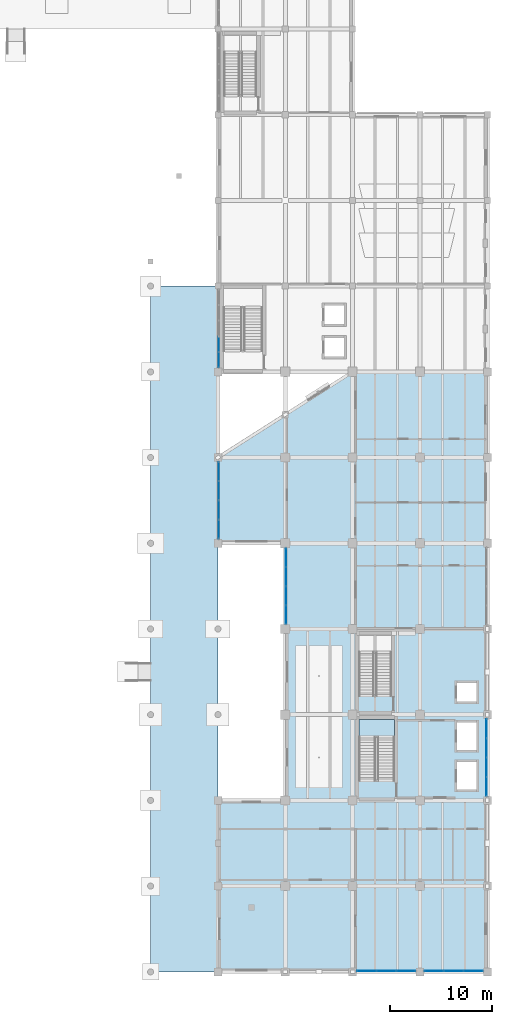
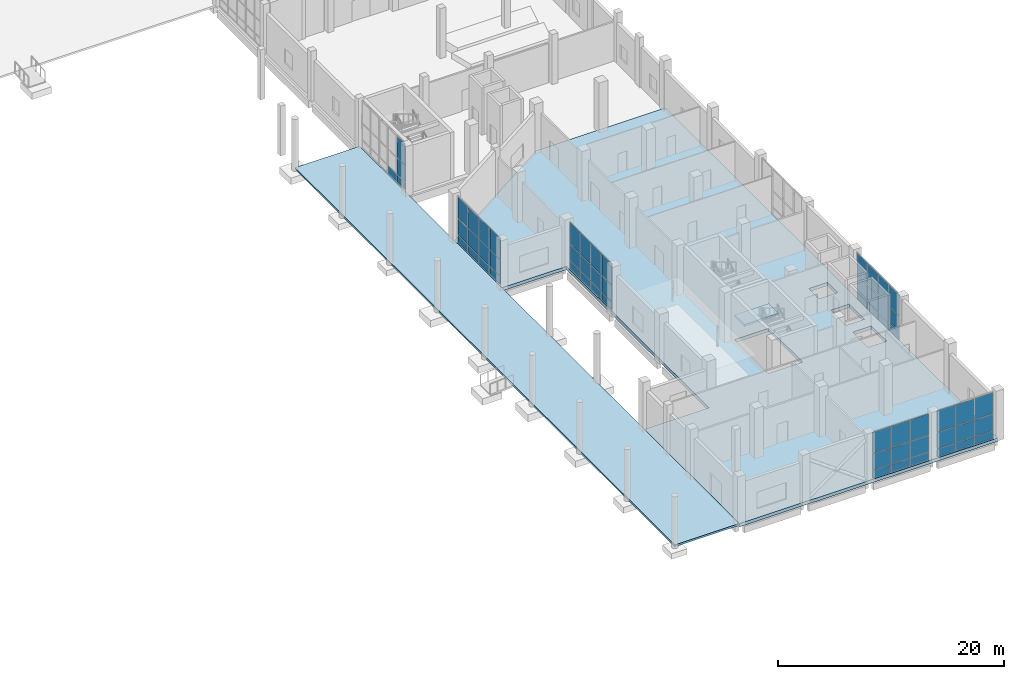
# One storey, part 34 of 64: 58 plates, 3 slabs, 7 elements without a shape of their own.
"""IFC4 building model written with IfcOpenShell, lengths in metres."""

from ifc_helpers import new_model, si_unit, direction, frame, origin, origin_2d, place, context, subcontext, project, spatial, polyline, rectangle, outline, extrude, material, layer, layer_set, type_object, element, aggregate, save


model = new_model("IFC4")

# Units and contexts
model_context = context("Model", 3, precision=1e-05, world=origin(), true_north=direction((0.0, 1.0)))
body_context = subcontext(model_context, "Body", "Model", "MODEL_VIEW")
ifc_project = project(units=[si_unit("LENGTHUNIT", "METRE"), si_unit("AREAUNIT", "SQUARE_METRE"), si_unit("VOLUMEUNIT", "CUBIC_METRE"), si_unit("PLANEANGLEUNIT", "RADIAN"), si_unit("MASSUNIT", "GRAM", prefix="KILO")], contexts=[model_context])

# Site, building, storey
site_placement = place(None, origin())
site = spatial("IfcSite", under=ifc_project, at=site_placement, CompositionType="ELEMENT")
building_placement = place(site_placement, origin())
building = spatial("IfcBuilding", under=site, at=building_placement, Name="Qaldarim Faculty of Natural and Applied Sciences", CompositionType="ELEMENT")
storey_placement = place(building_placement, origin())
storey = spatial("IfcBuildingStorey", under=building, at=storey_placement, Name="L00", CompositionType="ELEMENT", Elevation=0.0)

# Slabs
ifc_material_1 = material(Name="Concrete C40/50", Category="concrete")
ifc_layer_1 = layer(ifc_material_1, 0.199951171875)
ifc_layer_set_1 = layer_set([ifc_layer_1], Name="Concrete C40/50")
slab_type_1 = type_object("IfcSlabType", Name="ColonnadeDeckSlab-200", PredefinedType="FLOOR", material=ifc_layer_set_1)
slab_1_placement = place(storey_placement, frame((0.0, 0.0, -0.199951171875)))
element("IfcSlab", 1, at=slab_1_placement, inside=storey, type_object=slab_type_1, Name="Civic square colonnade paving apron L00-2", PredefinedType="FLOOR", context=body_context, shape_type="SweptSolid", body=[
    extrude(outline(polyline([(145.199951171875, 0.0), (145.199951171875, 67.199951171875), (151.800048828125, 67.199951171875), (151.800048828125, 0.0), (145.199951171875, 0.0)])), origin(), (0.0, 0.0, 1.0), 0.199951171875),
])
ifc_layer_2 = layer(ifc_material_1, 0.360107421875)
ifc_layer_set_2 = layer_set([ifc_layer_2], Name="Concrete C40/50")
slab_type_2 = type_object("IfcSlabType", Name="GroundFloorSlab-360", PredefinedType="FLOOR", material=ifc_layer_set_2)
slab_2_placement = place(storey_placement, frame((0.0, 0.0, -0.360107421875)))
element("IfcSlab", 2, at=slab_2_placement, inside=storey, type_object=slab_type_2, Name="Floor slab L00 V5", PredefinedType="FLOOR", context=body_context, shape_type="SweptSolid", body=[
    extrude(outline(polyline([(151.800048828125, 0.0), (178.199951171875, 0.0), (178.199951171875, 58.800048828125), (165.0, 58.800048828125), (151.800048828125, 50.39990234375), (151.800048828125, 42.0), (158.39990234375, 42.0), (158.39990234375, 16.800048828125), (151.800048828125, 16.800048828125), (151.800048828125, 0.0)]), holes=[polyline([(169.10009765625, 18.764892578125), (169.10009765625, 24.77490234375), (165.60009765625, 24.77490234375), (165.60009765625, 18.764892578125), (169.10009765625, 18.764892578125)]), polyline([(175.25, 17.85009765625), (177.14990234375, 17.85009765625), (177.14990234375, 20.550048828125), (175.25, 20.550048828125), (175.25, 17.85009765625)]), polyline([(175.25, 21.75), (177.14990234375, 21.75), (177.14990234375, 24.449951171875), (175.25, 24.449951171875), (175.25, 21.75)]), polyline([(175.25, 26.5), (177.14990234375, 26.5), (177.14990234375, 28.300048828125), (175.25, 28.300048828125), (175.25, 26.5)])]), origin(), (0.0, 0.0, 1.0), 0.360107421875),
])

# Curtain wall, plates
ifc_material_2 = material(Name="Anodised aluminium AW-6063", Category="aluminium")
curtain_wall_type_1 = type_object("IfcCurtainWallType", Name="CurtainWallSystem-M1700", PredefinedType="USERDEFINED", material=ifc_material_2)
curtain_wall_1_placement = place(storey_placement, origin())
curtain_wall_1 = element("IfcCurtainWall", 3, at=curtain_wall_1_placement, inside=storey, type_object=curtain_wall_type_1, Name="Curtain wall CW-L00-W-X24Y06", ObjectType="UNITISED FACADE", PredefinedType="USERDEFINED")
ifc_material_3 = material(Name="Insulated low-e double glazing", Category="glass")
ifc_layer_3 = layer(ifc_material_3, 0.031982421875)
ifc_layer_set_3 = layer_set([ifc_layer_3], Name="Insulated low-e double glazing")
plate_type_1 = type_object("IfcPlateType", Name="SolarControlGlazingPanel-32", PredefinedType="CURTAIN_PANEL", material=ifc_layer_set_3)
plate_1_placement = place(storey_placement, frame((151.8798828125, 49.036376953125, 0.070068359375), z_axis=(0.0, 0.0, 1.0), x_axis=(0.0, -1.0, 0.0)))
plate_1 = element("IfcPlate", 4, at=plate_1_placement, type_object=plate_type_1, Name="Glazed panel 1-1 of CW-L00-W-X24Y06", PredefinedType="CURTAIN_PANEL", context=body_context, shape_type="SweptSolid", body=[
    extrude(rectangle(XDim=1.797607421875, YDim=0.031982421875, at=origin_2d()), origin(), (0.0, 0.0, 1.0), 0.794921875),
])
plate_2_placement = place(storey_placement, frame((151.8798828125, 49.036376953125, 0.93505859375), z_axis=(0.0, 0.0, 1.0), x_axis=(0.0, -1.0, 0.0)))
plate_2 = element("IfcPlate", 5, at=plate_2_placement, type_object=plate_type_1, Name="Glazed panel 1-2 of CW-L00-W-X24Y06", PredefinedType="CURTAIN_PANEL", context=body_context, shape_type="SweptSolid", body=[
    extrude(rectangle(XDim=1.797607421875, YDim=0.031982421875, at=origin_2d()), origin(), (0.0, 0.0, 1.0), 1.72998046875),
])
plate_3_placement = place(storey_placement, frame((151.8798828125, 49.036376953125, 2.735107421875), z_axis=(0.0, 0.0, 1.0), x_axis=(0.0, -1.0, 0.0)))
plate_3 = element("IfcPlate", 6, at=plate_3_placement, type_object=plate_type_1, Name="Glazed panel 1-3 of CW-L00-W-X24Y06", PredefinedType="CURTAIN_PANEL", context=body_context, shape_type="SweptSolid", body=[
    extrude(rectangle(XDim=1.797607421875, YDim=0.031982421875, at=origin_2d()), origin(), (0.0, 0.0, 1.0), 2.294921875),
])
plate_4_placement = place(storey_placement, frame((151.8798828125, 47.1513671875, 0.070068359375), z_axis=(0.0, 0.0, 1.0), x_axis=(0.0, -1.0, 0.0)))
plate_4 = element("IfcPlate", 7, at=plate_4_placement, type_object=plate_type_1, Name="Glazed panel 2-1 of CW-L00-W-X24Y06", PredefinedType="CURTAIN_PANEL", context=body_context, shape_type="SweptSolid", body=[
    extrude(rectangle(XDim=1.83251953125, YDim=0.031982421875, at=origin_2d()), origin(), (0.0, 0.0, 1.0), 0.794921875),
])
plate_5_placement = place(storey_placement, frame((151.8798828125, 47.1513671875, 0.93505859375), z_axis=(0.0, 0.0, 1.0), x_axis=(0.0, -1.0, 0.0)))
plate_5 = element("IfcPlate", 8, at=plate_5_placement, type_object=plate_type_1, Name="Glazed panel 2-2 of CW-L00-W-X24Y06", PredefinedType="CURTAIN_PANEL", context=body_context, shape_type="SweptSolid", body=[
    extrude(rectangle(XDim=1.83251953125, YDim=0.031982421875, at=origin_2d()), origin(), (0.0, 0.0, 1.0), 1.72998046875),
])
plate_6_placement = place(storey_placement, frame((151.8798828125, 47.1513671875, 2.735107421875), z_axis=(0.0, 0.0, 1.0), x_axis=(0.0, -1.0, 0.0)))
plate_6 = element("IfcPlate", 9, at=plate_6_placement, type_object=plate_type_1, Name="Glazed panel 2-3 of CW-L00-W-X24Y06", PredefinedType="CURTAIN_PANEL", context=body_context, shape_type="SweptSolid", body=[
    extrude(rectangle(XDim=1.83251953125, YDim=0.031982421875, at=origin_2d()), origin(), (0.0, 0.0, 1.0), 2.294921875),
])
plate_7_placement = place(storey_placement, frame((151.8798828125, 45.248779296875, 0.070068359375), z_axis=(0.0, 0.0, 1.0), x_axis=(0.0, -1.0, 0.0)))
plate_7 = element("IfcPlate", 10, at=plate_7_placement, type_object=plate_type_1, Name="Glazed panel 3-1 of CW-L00-W-X24Y06", PredefinedType="CURTAIN_PANEL", context=body_context, shape_type="SweptSolid", body=[
    extrude(rectangle(XDim=1.83251953125, YDim=0.031982421875, at=origin_2d()), origin(), (0.0, 0.0, 1.0), 0.794921875),
])
plate_8_placement = place(storey_placement, frame((151.8798828125, 45.248779296875, 0.93505859375), z_axis=(0.0, 0.0, 1.0), x_axis=(0.0, -1.0, 0.0)))
plate_8 = element("IfcPlate", 11, at=plate_8_placement, type_object=plate_type_1, Name="Glazed panel 3-2 of CW-L00-W-X24Y06", PredefinedType="CURTAIN_PANEL", context=body_context, shape_type="SweptSolid", body=[
    extrude(rectangle(XDim=1.83251953125, YDim=0.031982421875, at=origin_2d()), origin(), (0.0, 0.0, 1.0), 1.72998046875),
])
plate_9_placement = place(storey_placement, frame((151.8798828125, 45.248779296875, 2.735107421875), z_axis=(0.0, 0.0, 1.0), x_axis=(0.0, -1.0, 0.0)))
plate_9 = element("IfcPlate", 12, at=plate_9_placement, type_object=plate_type_1, Name="Glazed panel 3-3 of CW-L00-W-X24Y06", PredefinedType="CURTAIN_PANEL", context=body_context, shape_type="SweptSolid", body=[
    extrude(rectangle(XDim=1.83251953125, YDim=0.031982421875, at=origin_2d()), origin(), (0.0, 0.0, 1.0), 2.294921875),
])
plate_10_placement = place(storey_placement, frame((151.8798828125, 43.36376953125, 0.070068359375), z_axis=(0.0, 0.0, 1.0), x_axis=(0.0, -1.0, 0.0)))
plate_10 = element("IfcPlate", 13, at=plate_10_placement, type_object=plate_type_1, Name="Glazed panel 4-1 of CW-L00-W-X24Y06", PredefinedType="CURTAIN_PANEL", context=body_context, shape_type="SweptSolid", body=[
    extrude(rectangle(XDim=1.797607421875, YDim=0.031982421875, at=origin_2d()), origin(), (0.0, 0.0, 1.0), 0.794921875),
])
plate_11_placement = place(storey_placement, frame((151.8798828125, 43.36376953125, 0.93505859375), z_axis=(0.0, 0.0, 1.0), x_axis=(0.0, -1.0, 0.0)))
plate_11 = element("IfcPlate", 14, at=plate_11_placement, type_object=plate_type_1, Name="Glazed panel 4-2 of CW-L00-W-X24Y06", PredefinedType="CURTAIN_PANEL", context=body_context, shape_type="SweptSolid", body=[
    extrude(rectangle(XDim=1.797607421875, YDim=0.031982421875, at=origin_2d()), origin(), (0.0, 0.0, 1.0), 1.72998046875),
])
plate_12_placement = place(storey_placement, frame((151.8798828125, 43.36376953125, 2.735107421875), z_axis=(0.0, 0.0, 1.0), x_axis=(0.0, -1.0, 0.0)))
plate_12 = element("IfcPlate", 15, at=plate_12_placement, type_object=plate_type_1, Name="Glazed panel 4-3 of CW-L00-W-X24Y06", PredefinedType="CURTAIN_PANEL", context=body_context, shape_type="SweptSolid", body=[
    extrude(rectangle(XDim=1.797607421875, YDim=0.031982421875, at=origin_2d()), origin(), (0.0, 0.0, 1.0), 2.294921875),
])
aggregate(curtain_wall_1, [plate_1, plate_2, plate_3, plate_4, plate_5, plate_6, plate_7, plate_8, plate_9, plate_10, plate_11, plate_12])

curtain_wall_2_placement = place(storey_placement, origin())
curtain_wall_2 = element("IfcCurtainWall", 16, at=curtain_wall_2_placement, inside=storey, type_object=curtain_wall_type_1, Name="Curtain wall CW-L00-W-X25Y05", ObjectType="UNITISED FACADE", PredefinedType="USERDEFINED")
plate_13_placement = place(storey_placement, frame((158.47998046875, 40.598876953125, 0.070068359375), z_axis=(0.0, 0.0, 1.0), x_axis=(0.0, -1.0, 0.0)))
plate_13 = element("IfcPlate", 17, at=plate_13_placement, type_object=plate_type_1, Name="Glazed panel 1-1 of CW-L00-W-X25Y05", PredefinedType="CURTAIN_PANEL", context=body_context, shape_type="SweptSolid", body=[
    extrude(rectangle(XDim=1.7724609375, YDim=0.031982421875, at=origin_2d()), origin(), (0.0, 0.0, 1.0), 0.794921875),
])
plate_14_placement = place(storey_placement, frame((158.47998046875, 40.598876953125, 0.93505859375), z_axis=(0.0, 0.0, 1.0), x_axis=(0.0, -1.0, 0.0)))
plate_14 = element("IfcPlate", 18, at=plate_14_placement, type_object=plate_type_1, Name="Glazed panel 1-2 of CW-L00-W-X25Y05", PredefinedType="CURTAIN_PANEL", context=body_context, shape_type="SweptSolid", body=[
    extrude(rectangle(XDim=1.7724609375, YDim=0.031982421875, at=origin_2d()), origin(), (0.0, 0.0, 1.0), 1.72998046875),
])
plate_15_placement = place(storey_placement, frame((158.47998046875, 40.598876953125, 2.735107421875), z_axis=(0.0, 0.0, 1.0), x_axis=(0.0, -1.0, 0.0)))
plate_15 = element("IfcPlate", 19, at=plate_15_placement, type_object=plate_type_1, Name="Glazed panel 1-3 of CW-L00-W-X25Y05", PredefinedType="CURTAIN_PANEL", context=body_context, shape_type="SweptSolid", body=[
    extrude(rectangle(XDim=1.7724609375, YDim=0.031982421875, at=origin_2d()), origin(), (0.0, 0.0, 1.0), 2.294921875),
])
plate_16_placement = place(storey_placement, frame((158.47998046875, 38.73876953125, 0.070068359375), z_axis=(0.0, 0.0, 1.0), x_axis=(0.0, -1.0, 0.0)))
plate_16 = element("IfcPlate", 20, at=plate_16_placement, type_object=plate_type_1, Name="Glazed panel 2-1 of CW-L00-W-X25Y05", PredefinedType="CURTAIN_PANEL", context=body_context, shape_type="SweptSolid", body=[
    extrude(rectangle(XDim=1.8076171875, YDim=0.031982421875, at=origin_2d()), origin(), (0.0, 0.0, 1.0), 0.794921875),
])
plate_17_placement = place(storey_placement, frame((158.47998046875, 38.73876953125, 0.93505859375), z_axis=(0.0, 0.0, 1.0), x_axis=(0.0, -1.0, 0.0)))
plate_17 = element("IfcPlate", 21, at=plate_17_placement, type_object=plate_type_1, Name="Glazed panel 2-2 of CW-L00-W-X25Y05", PredefinedType="CURTAIN_PANEL", context=body_context, shape_type="SweptSolid", body=[
    extrude(rectangle(XDim=1.8076171875, YDim=0.031982421875, at=origin_2d()), origin(), (0.0, 0.0, 1.0), 1.72998046875),
])
plate_18_placement = place(storey_placement, frame((158.47998046875, 38.73876953125, 2.735107421875), z_axis=(0.0, 0.0, 1.0), x_axis=(0.0, -1.0, 0.0)))
plate_18 = element("IfcPlate", 22, at=plate_18_placement, type_object=plate_type_1, Name="Glazed panel 2-3 of CW-L00-W-X25Y05", PredefinedType="CURTAIN_PANEL", context=body_context, shape_type="SweptSolid", body=[
    extrude(rectangle(XDim=1.8076171875, YDim=0.031982421875, at=origin_2d()), origin(), (0.0, 0.0, 1.0), 2.294921875),
])
plate_19_placement = place(storey_placement, frame((158.47998046875, 36.861083984375, 0.070068359375), z_axis=(0.0, 0.0, 1.0), x_axis=(0.0, -1.0, 0.0)))
plate_19 = element("IfcPlate", 23, at=plate_19_placement, type_object=plate_type_1, Name="Glazed panel 3-1 of CW-L00-W-X25Y05", PredefinedType="CURTAIN_PANEL", context=body_context, shape_type="SweptSolid", body=[
    extrude(rectangle(XDim=1.8076171875, YDim=0.031982421875, at=origin_2d()), origin(), (0.0, 0.0, 1.0), 0.794921875),
])
plate_20_placement = place(storey_placement, frame((158.47998046875, 36.861083984375, 0.93505859375), z_axis=(0.0, 0.0, 1.0), x_axis=(0.0, -1.0, 0.0)))
plate_20 = element("IfcPlate", 24, at=plate_20_placement, type_object=plate_type_1, Name="Glazed panel 3-2 of CW-L00-W-X25Y05", PredefinedType="CURTAIN_PANEL", context=body_context, shape_type="SweptSolid", body=[
    extrude(rectangle(XDim=1.8076171875, YDim=0.031982421875, at=origin_2d()), origin(), (0.0, 0.0, 1.0), 1.72998046875),
])
plate_21_placement = place(storey_placement, frame((158.47998046875, 36.861083984375, 2.735107421875), z_axis=(0.0, 0.0, 1.0), x_axis=(0.0, -1.0, 0.0)))
plate_21 = element("IfcPlate", 25, at=plate_21_placement, type_object=plate_type_1, Name="Glazed panel 3-3 of CW-L00-W-X25Y05", PredefinedType="CURTAIN_PANEL", context=body_context, shape_type="SweptSolid", body=[
    extrude(rectangle(XDim=1.8076171875, YDim=0.031982421875, at=origin_2d()), origin(), (0.0, 0.0, 1.0), 2.294921875),
])
plate_22_placement = place(storey_placement, frame((158.47998046875, 35.001220703125, 0.070068359375), z_axis=(0.0, 0.0, 1.0), x_axis=(0.0, -1.0, 0.0)))
plate_22 = element("IfcPlate", 26, at=plate_22_placement, type_object=plate_type_1, Name="Glazed panel 4-1 of CW-L00-W-X25Y05", PredefinedType="CURTAIN_PANEL", context=body_context, shape_type="SweptSolid", body=[
    extrude(rectangle(XDim=1.7724609375, YDim=0.031982421875, at=origin_2d()), origin(), (0.0, 0.0, 1.0), 0.794921875),
])
plate_23_placement = place(storey_placement, frame((158.47998046875, 35.001220703125, 0.93505859375), z_axis=(0.0, 0.0, 1.0), x_axis=(0.0, -1.0, 0.0)))
plate_23 = element("IfcPlate", 27, at=plate_23_placement, type_object=plate_type_1, Name="Glazed panel 4-2 of CW-L00-W-X25Y05", PredefinedType="CURTAIN_PANEL", context=body_context, shape_type="SweptSolid", body=[
    extrude(rectangle(XDim=1.7724609375, YDim=0.031982421875, at=origin_2d()), origin(), (0.0, 0.0, 1.0), 1.72998046875),
])
plate_24_placement = place(storey_placement, frame((158.47998046875, 35.001220703125, 2.735107421875), z_axis=(0.0, 0.0, 1.0), x_axis=(0.0, -1.0, 0.0)))
plate_24 = element("IfcPlate", 28, at=plate_24_placement, type_object=plate_type_1, Name="Glazed panel 4-3 of CW-L00-W-X25Y05", PredefinedType="CURTAIN_PANEL", context=body_context, shape_type="SweptSolid", body=[
    extrude(rectangle(XDim=1.7724609375, YDim=0.031982421875, at=origin_2d()), origin(), (0.0, 0.0, 1.0), 2.294921875),
])
aggregate(curtain_wall_2, [plate_13, plate_14, plate_15, plate_16, plate_17, plate_18, plate_19, plate_20, plate_21, plate_22, plate_23, plate_24])

curtain_wall_3_placement = place(storey_placement, origin())
curtain_wall_3 = element("IfcCurtainWall", 29, at=curtain_wall_3_placement, inside=storey, type_object=curtain_wall_type_1, Name="Curtain wall CW-L00-S-X26Y01", ObjectType="UNITISED FACADE", PredefinedType="USERDEFINED")
plate_25_placement = place(storey_placement, frame((166.380859375, 0.080078125, 0.070068359375), z_axis=(0.0, 0.0, 1.0), x_axis=(1.0, 0.0, 0.0)))
plate_25 = element("IfcPlate", 30, at=plate_25_placement, type_object=plate_type_1, Name="Glazed panel 1-1 of CW-L00-S-X26Y01", PredefinedType="CURTAIN_PANEL", context=body_context, shape_type="SweptSolid", body=[
    extrude(rectangle(XDim=1.831787109375, YDim=0.031982421875, at=origin_2d()), origin(), (0.0, 0.0, 1.0), 0.794921875),
])
plate_26_placement = place(storey_placement, frame((166.380859375, 0.080078125, 0.93505859375), z_axis=(0.0, 0.0, 1.0), x_axis=(1.0, 0.0, 0.0)))
plate_26 = element("IfcPlate", 31, at=plate_26_placement, type_object=plate_type_1, Name="Glazed panel 1-2 of CW-L00-S-X26Y01", PredefinedType="CURTAIN_PANEL", context=body_context, shape_type="SweptSolid", body=[
    extrude(rectangle(XDim=1.831787109375, YDim=0.031982421875, at=origin_2d()), origin(), (0.0, 0.0, 1.0), 1.72998046875),
])
plate_27_placement = place(storey_placement, frame((166.380859375, 0.080078125, 2.735107421875), z_axis=(0.0, 0.0, 1.0), x_axis=(1.0, 0.0, 0.0)))
plate_27 = element("IfcPlate", 32, at=plate_27_placement, type_object=plate_type_1, Name="Glazed panel 1-3 of CW-L00-S-X26Y01", PredefinedType="CURTAIN_PANEL", context=body_context, shape_type="SweptSolid", body=[
    extrude(rectangle(XDim=1.831787109375, YDim=0.031982421875, at=origin_2d()), origin(), (0.0, 0.0, 1.0), 2.294921875),
])
plate_28_placement = place(storey_placement, frame((168.300048828125, 0.080078125, 0.070068359375), z_axis=(0.0, 0.0, 1.0), x_axis=(1.0, 0.0, 0.0)))
plate_28 = element("IfcPlate", 33, at=plate_28_placement, type_object=plate_type_1, Name="Glazed panel 2-1 of CW-L00-S-X26Y01", PredefinedType="CURTAIN_PANEL", context=body_context, shape_type="SweptSolid", body=[
    extrude(rectangle(XDim=1.86669921875, YDim=0.031982421875, at=origin_2d()), origin(), (0.0, 0.0, 1.0), 0.794921875),
])
plate_29_placement = place(storey_placement, frame((168.300048828125, 0.080078125, 0.93505859375), z_axis=(0.0, 0.0, 1.0), x_axis=(1.0, 0.0, 0.0)))
plate_29 = element("IfcPlate", 34, at=plate_29_placement, type_object=plate_type_1, Name="Glazed panel 2-2 of CW-L00-S-X26Y01", PredefinedType="CURTAIN_PANEL", context=body_context, shape_type="SweptSolid", body=[
    extrude(rectangle(XDim=1.86669921875, YDim=0.031982421875, at=origin_2d()), origin(), (0.0, 0.0, 1.0), 1.72998046875),
])
plate_30_placement = place(storey_placement, frame((168.300048828125, 0.080078125, 2.735107421875), z_axis=(0.0, 0.0, 1.0), x_axis=(1.0, 0.0, 0.0)))
plate_30 = element("IfcPlate", 35, at=plate_30_placement, type_object=plate_type_1, Name="Glazed panel 2-3 of CW-L00-S-X26Y01", PredefinedType="CURTAIN_PANEL", context=body_context, shape_type="SweptSolid", body=[
    extrude(rectangle(XDim=1.86669921875, YDim=0.031982421875, at=origin_2d()), origin(), (0.0, 0.0, 1.0), 2.294921875),
])
plate_31_placement = place(storey_placement, frame((170.21923828125, 0.080078125, 0.070068359375), z_axis=(0.0, 0.0, 1.0), x_axis=(1.0, 0.0, 0.0)))
plate_31 = element("IfcPlate", 36, at=plate_31_placement, type_object=plate_type_1, Name="Glazed panel 3-1 of CW-L00-S-X26Y01", PredefinedType="CURTAIN_PANEL", context=body_context, shape_type="SweptSolid", body=[
    extrude(rectangle(XDim=1.831787109375, YDim=0.031982421875, at=origin_2d()), origin(), (0.0, 0.0, 1.0), 0.794921875),
])
plate_32_placement = place(storey_placement, frame((170.21923828125, 0.080078125, 0.93505859375), z_axis=(0.0, 0.0, 1.0), x_axis=(1.0, 0.0, 0.0)))
plate_32 = element("IfcPlate", 37, at=plate_32_placement, type_object=plate_type_1, Name="Glazed panel 3-2 of CW-L00-S-X26Y01", PredefinedType="CURTAIN_PANEL", context=body_context, shape_type="SweptSolid", body=[
    extrude(rectangle(XDim=1.831787109375, YDim=0.031982421875, at=origin_2d()), origin(), (0.0, 0.0, 1.0), 1.72998046875),
])
plate_33_placement = place(storey_placement, frame((170.21923828125, 0.080078125, 2.735107421875), z_axis=(0.0, 0.0, 1.0), x_axis=(1.0, 0.0, 0.0)))
plate_33 = element("IfcPlate", 38, at=plate_33_placement, type_object=plate_type_1, Name="Glazed panel 3-3 of CW-L00-S-X26Y01", PredefinedType="CURTAIN_PANEL", context=body_context, shape_type="SweptSolid", body=[
    extrude(rectangle(XDim=1.831787109375, YDim=0.031982421875, at=origin_2d()), origin(), (0.0, 0.0, 1.0), 2.294921875),
])
aggregate(curtain_wall_3, [plate_25, plate_26, plate_27, plate_28, plate_29, plate_30, plate_31, plate_32, plate_33])

curtain_wall_4_placement = place(storey_placement, origin())
curtain_wall_4 = element("IfcCurtainWall", 39, at=curtain_wall_4_placement, inside=storey, type_object=curtain_wall_type_1, Name="Curtain wall CW-L00-S-X27Y01", ObjectType="UNITISED FACADE", PredefinedType="USERDEFINED")
plate_34_placement = place(storey_placement, frame((172.980712890625, 0.080078125, 0.070068359375), z_axis=(0.0, 0.0, 1.0), x_axis=(1.0, 0.0, 0.0)))
plate_34 = element("IfcPlate", 40, at=plate_34_placement, type_object=plate_type_1, Name="Glazed panel 1-1 of CW-L00-S-X27Y01", PredefinedType="CURTAIN_PANEL", context=body_context, shape_type="SweptSolid", body=[
    extrude(rectangle(XDim=1.831787109375, YDim=0.031982421875, at=origin_2d()), origin(), (0.0, 0.0, 1.0), 0.794921875),
])
plate_35_placement = place(storey_placement, frame((172.980712890625, 0.080078125, 0.93505859375), z_axis=(0.0, 0.0, 1.0), x_axis=(1.0, 0.0, 0.0)))
plate_35 = element("IfcPlate", 41, at=plate_35_placement, type_object=plate_type_1, Name="Glazed panel 1-2 of CW-L00-S-X27Y01", PredefinedType="CURTAIN_PANEL", context=body_context, shape_type="SweptSolid", body=[
    extrude(rectangle(XDim=1.831787109375, YDim=0.031982421875, at=origin_2d()), origin(), (0.0, 0.0, 1.0), 1.72998046875),
])
plate_36_placement = place(storey_placement, frame((172.980712890625, 0.080078125, 2.735107421875), z_axis=(0.0, 0.0, 1.0), x_axis=(1.0, 0.0, 0.0)))
plate_36 = element("IfcPlate", 42, at=plate_36_placement, type_object=plate_type_1, Name="Glazed panel 1-3 of CW-L00-S-X27Y01", PredefinedType="CURTAIN_PANEL", context=body_context, shape_type="SweptSolid", body=[
    extrude(rectangle(XDim=1.831787109375, YDim=0.031982421875, at=origin_2d()), origin(), (0.0, 0.0, 1.0), 2.294921875),
])
plate_37_placement = place(storey_placement, frame((174.89990234375, 0.080078125, 0.070068359375), z_axis=(0.0, 0.0, 1.0), x_axis=(1.0, 0.0, 0.0)))
plate_37 = element("IfcPlate", 43, at=plate_37_placement, type_object=plate_type_1, Name="Glazed panel 2-1 of CW-L00-S-X27Y01", PredefinedType="CURTAIN_PANEL", context=body_context, shape_type="SweptSolid", body=[
    extrude(rectangle(XDim=1.86669921875, YDim=0.031982421875, at=origin_2d()), origin(), (0.0, 0.0, 1.0), 0.794921875),
])
plate_38_placement = place(storey_placement, frame((174.89990234375, 0.080078125, 0.93505859375), z_axis=(0.0, 0.0, 1.0), x_axis=(1.0, 0.0, 0.0)))
plate_38 = element("IfcPlate", 44, at=plate_38_placement, type_object=plate_type_1, Name="Glazed panel 2-2 of CW-L00-S-X27Y01", PredefinedType="CURTAIN_PANEL", context=body_context, shape_type="SweptSolid", body=[
    extrude(rectangle(XDim=1.86669921875, YDim=0.031982421875, at=origin_2d()), origin(), (0.0, 0.0, 1.0), 1.72998046875),
])
plate_39_placement = place(storey_placement, frame((174.89990234375, 0.080078125, 2.735107421875), z_axis=(0.0, 0.0, 1.0), x_axis=(1.0, 0.0, 0.0)))
plate_39 = element("IfcPlate", 45, at=plate_39_placement, type_object=plate_type_1, Name="Glazed panel 2-3 of CW-L00-S-X27Y01", PredefinedType="CURTAIN_PANEL", context=body_context, shape_type="SweptSolid", body=[
    extrude(rectangle(XDim=1.86669921875, YDim=0.031982421875, at=origin_2d()), origin(), (0.0, 0.0, 1.0), 2.294921875),
])
plate_40_placement = place(storey_placement, frame((176.819091796875, 0.080078125, 0.070068359375), z_axis=(0.0, 0.0, 1.0), x_axis=(1.0, 0.0, 0.0)))
plate_40 = element("IfcPlate", 46, at=plate_40_placement, type_object=plate_type_1, Name="Glazed panel 3-1 of CW-L00-S-X27Y01", PredefinedType="CURTAIN_PANEL", context=body_context, shape_type="SweptSolid", body=[
    extrude(rectangle(XDim=1.831787109375, YDim=0.031982421875, at=origin_2d()), origin(), (0.0, 0.0, 1.0), 0.794921875),
])
plate_41_placement = place(storey_placement, frame((176.819091796875, 0.080078125, 0.93505859375), z_axis=(0.0, 0.0, 1.0), x_axis=(1.0, 0.0, 0.0)))
plate_41 = element("IfcPlate", 47, at=plate_41_placement, type_object=plate_type_1, Name="Glazed panel 3-2 of CW-L00-S-X27Y01", PredefinedType="CURTAIN_PANEL", context=body_context, shape_type="SweptSolid", body=[
    extrude(rectangle(XDim=1.831787109375, YDim=0.031982421875, at=origin_2d()), origin(), (0.0, 0.0, 1.0), 1.72998046875),
])
plate_42_placement = place(storey_placement, frame((176.819091796875, 0.080078125, 2.735107421875), z_axis=(0.0, 0.0, 1.0), x_axis=(1.0, 0.0, 0.0)))
plate_42 = element("IfcPlate", 48, at=plate_42_placement, type_object=plate_type_1, Name="Glazed panel 3-3 of CW-L00-S-X27Y01", PredefinedType="CURTAIN_PANEL", context=body_context, shape_type="SweptSolid", body=[
    extrude(rectangle(XDim=1.831787109375, YDim=0.031982421875, at=origin_2d()), origin(), (0.0, 0.0, 1.0), 2.294921875),
])
aggregate(curtain_wall_4, [plate_34, plate_35, plate_36, plate_37, plate_38, plate_39, plate_40, plate_41, plate_42])

curtain_wall_5_placement = place(storey_placement, origin())
curtain_wall_5 = element("IfcCurtainWall", 49, at=curtain_wall_5_placement, inside=storey, type_object=curtain_wall_type_1, Name="Curtain wall CW-L00-E-X27Y03", ObjectType="UNITISED FACADE", PredefinedType="USERDEFINED")
plate_43_placement = place(storey_placement, frame((178.1201171875, 18.163818359375, 0.070068359375), z_axis=(0.0, 0.0, 1.0), x_axis=(0.0, 1.0, 0.0)))
plate_43 = element("IfcPlate", 50, at=plate_43_placement, type_object=plate_type_1, Name="Glazed panel 1-1 of CW-L00-E-X27Y03", PredefinedType="CURTAIN_PANEL", context=body_context, shape_type="SweptSolid", body=[
    extrude(rectangle(XDim=1.797607421875, YDim=0.031982421875, at=origin_2d()), origin(), (0.0, 0.0, 1.0), 0.794921875),
])
plate_44_placement = place(storey_placement, frame((178.1201171875, 18.163818359375, 0.93505859375), z_axis=(0.0, 0.0, 1.0), x_axis=(0.0, 1.0, 0.0)))
plate_44 = element("IfcPlate", 51, at=plate_44_placement, type_object=plate_type_1, Name="Glazed panel 1-2 of CW-L00-E-X27Y03", PredefinedType="CURTAIN_PANEL", context=body_context, shape_type="SweptSolid", body=[
    extrude(rectangle(XDim=1.797607421875, YDim=0.031982421875, at=origin_2d()), origin(), (0.0, 0.0, 1.0), 1.72998046875),
])
plate_45_placement = place(storey_placement, frame((178.1201171875, 18.163818359375, 2.735107421875), z_axis=(0.0, 0.0, 1.0), x_axis=(0.0, 1.0, 0.0)))
plate_45 = element("IfcPlate", 52, at=plate_45_placement, type_object=plate_type_1, Name="Glazed panel 1-3 of CW-L00-E-X27Y03", PredefinedType="CURTAIN_PANEL", context=body_context, shape_type="SweptSolid", body=[
    extrude(rectangle(XDim=1.797607421875, YDim=0.031982421875, at=origin_2d()), origin(), (0.0, 0.0, 1.0), 2.294921875),
])
plate_46_placement = place(storey_placement, frame((178.1201171875, 20.048583984375, 0.070068359375), z_axis=(0.0, 0.0, 1.0), x_axis=(0.0, 1.0, 0.0)))
plate_46 = element("IfcPlate", 53, at=plate_46_placement, type_object=plate_type_1, Name="Glazed panel 2-1 of CW-L00-E-X27Y03", PredefinedType="CURTAIN_PANEL", context=body_context, shape_type="SweptSolid", body=[
    extrude(rectangle(XDim=1.83251953125, YDim=0.031982421875, at=origin_2d()), origin(), (0.0, 0.0, 1.0), 0.794921875),
])
plate_47_placement = place(storey_placement, frame((178.1201171875, 20.048583984375, 0.93505859375), z_axis=(0.0, 0.0, 1.0), x_axis=(0.0, 1.0, 0.0)))
plate_47 = element("IfcPlate", 54, at=plate_47_placement, type_object=plate_type_1, Name="Glazed panel 2-2 of CW-L00-E-X27Y03", PredefinedType="CURTAIN_PANEL", context=body_context, shape_type="SweptSolid", body=[
    extrude(rectangle(XDim=1.83251953125, YDim=0.031982421875, at=origin_2d()), origin(), (0.0, 0.0, 1.0), 1.72998046875),
])
plate_48_placement = place(storey_placement, frame((178.1201171875, 20.048583984375, 2.735107421875), z_axis=(0.0, 0.0, 1.0), x_axis=(0.0, 1.0, 0.0)))
plate_48 = element("IfcPlate", 55, at=plate_48_placement, type_object=plate_type_1, Name="Glazed panel 2-3 of CW-L00-E-X27Y03", PredefinedType="CURTAIN_PANEL", context=body_context, shape_type="SweptSolid", body=[
    extrude(rectangle(XDim=1.83251953125, YDim=0.031982421875, at=origin_2d()), origin(), (0.0, 0.0, 1.0), 2.294921875),
])
plate_49_placement = place(storey_placement, frame((178.1201171875, 21.951416015625, 0.070068359375), z_axis=(0.0, 0.0, 1.0), x_axis=(0.0, 1.0, 0.0)))
plate_49 = element("IfcPlate", 56, at=plate_49_placement, type_object=plate_type_1, Name="Glazed panel 3-1 of CW-L00-E-X27Y03", PredefinedType="CURTAIN_PANEL", context=body_context, shape_type="SweptSolid", body=[
    extrude(rectangle(XDim=1.83251953125, YDim=0.031982421875, at=origin_2d()), origin(), (0.0, 0.0, 1.0), 0.794921875),
])
plate_50_placement = place(storey_placement, frame((178.1201171875, 21.951416015625, 0.93505859375), z_axis=(0.0, 0.0, 1.0), x_axis=(0.0, 1.0, 0.0)))
plate_50 = element("IfcPlate", 57, at=plate_50_placement, type_object=plate_type_1, Name="Glazed panel 3-2 of CW-L00-E-X27Y03", PredefinedType="CURTAIN_PANEL", context=body_context, shape_type="SweptSolid", body=[
    extrude(rectangle(XDim=1.83251953125, YDim=0.031982421875, at=origin_2d()), origin(), (0.0, 0.0, 1.0), 1.72998046875),
])
plate_51_placement = place(storey_placement, frame((178.1201171875, 21.951416015625, 2.735107421875), z_axis=(0.0, 0.0, 1.0), x_axis=(0.0, 1.0, 0.0)))
plate_51 = element("IfcPlate", 58, at=plate_51_placement, type_object=plate_type_1, Name="Glazed panel 3-3 of CW-L00-E-X27Y03", PredefinedType="CURTAIN_PANEL", context=body_context, shape_type="SweptSolid", body=[
    extrude(rectangle(XDim=1.83251953125, YDim=0.031982421875, at=origin_2d()), origin(), (0.0, 0.0, 1.0), 2.294921875),
])
plate_52_placement = place(storey_placement, frame((178.1201171875, 23.836181640625, 0.070068359375), z_axis=(0.0, 0.0, 1.0), x_axis=(0.0, 1.0, 0.0)))
plate_52 = element("IfcPlate", 59, at=plate_52_placement, type_object=plate_type_1, Name="Glazed panel 4-1 of CW-L00-E-X27Y03", PredefinedType="CURTAIN_PANEL", context=body_context, shape_type="SweptSolid", body=[
    extrude(rectangle(XDim=1.797607421875, YDim=0.031982421875, at=origin_2d()), origin(), (0.0, 0.0, 1.0), 0.794921875),
])
plate_53_placement = place(storey_placement, frame((178.1201171875, 23.836181640625, 0.93505859375), z_axis=(0.0, 0.0, 1.0), x_axis=(0.0, 1.0, 0.0)))
plate_53 = element("IfcPlate", 60, at=plate_53_placement, type_object=plate_type_1, Name="Glazed panel 4-2 of CW-L00-E-X27Y03", PredefinedType="CURTAIN_PANEL", context=body_context, shape_type="SweptSolid", body=[
    extrude(rectangle(XDim=1.797607421875, YDim=0.031982421875, at=origin_2d()), origin(), (0.0, 0.0, 1.0), 1.72998046875),
])
plate_54_placement = place(storey_placement, frame((178.1201171875, 23.836181640625, 2.735107421875), z_axis=(0.0, 0.0, 1.0), x_axis=(0.0, 1.0, 0.0)))
plate_54 = element("IfcPlate", 61, at=plate_54_placement, type_object=plate_type_1, Name="Glazed panel 4-3 of CW-L00-E-X27Y03", PredefinedType="CURTAIN_PANEL", context=body_context, shape_type="SweptSolid", body=[
    extrude(rectangle(XDim=1.797607421875, YDim=0.031982421875, at=origin_2d()), origin(), (0.0, 0.0, 1.0), 2.294921875),
])
aggregate(curtain_wall_5, [plate_43, plate_44, plate_45, plate_46, plate_47, plate_48, plate_49, plate_50, plate_51, plate_52, plate_53, plate_54])

# Stair, slab
stair_type = type_object("IfcStairType", Name="DoglegStair-W1650-H5400-32R", PredefinedType="HALF_TURN_STAIR", material=ifc_material_1)
stair_placement = place(storey_placement, origin())
stair = element("IfcStair", 62, at=stair_placement, inside=storey, type_object=stair_type, Name="Enclosed exit stair ST-A1 L00", PredefinedType="HALF_TURN_STAIR")
ifc_layer_4 = layer(ifc_material_1, 0.2099609375)
ifc_layer_set_4 = layer_set([ifc_layer_4], Name="Concrete C40/50")
slab_type_3 = type_object("IfcSlabType", Name="StairLandingSlab-210", PredefinedType="LANDING", material=ifc_layer_set_4)
slab_3_placement = place(storey_placement, frame((0.0, 0.0, 2.489990234375)))
slab_3 = element("IfcSlab", 63, at=slab_3_placement, type_object=slab_type_3, Name="ST-A1 L00 half-landing 1", PredefinedType="LANDING", context=body_context, shape_type="SweptSolid", body=[
    extrude(outline(polyline([(169.10009765625, 23.010009765625), (169.10009765625, 24.75), (165.60009765625, 24.75), (165.60009765625, 23.010009765625), (169.10009765625, 23.010009765625)])), origin(), (0.0, 0.0, 1.0), 0.2099609375),
])
aggregate(stair, [slab_3])

# Curtain wall, plates
curtain_wall_type_2 = type_object("IfcCurtainWallType", Name="CurtainWallSystem-M1600", PredefinedType="USERDEFINED", material=ifc_material_2)
curtain_wall_6_placement = place(storey_placement, origin())
curtain_wall_6 = element("IfcCurtainWall", 64, at=curtain_wall_6_placement, inside=storey, type_object=curtain_wall_type_2, Name="Curtain wall CW-L00-W-X24Y08", ObjectType="UNITISED FACADE", PredefinedType="USERDEFINED")
ifc_layer_5 = layer(ifc_material_3, 0.028076171875)
ifc_layer_set_5 = layer_set([ifc_layer_5], Name="Insulated low-e double glazing")
plate_type_2 = type_object("IfcPlateType", Name="VisionGlazingPanel-28", PredefinedType="CURTAIN_PANEL", material=ifc_layer_set_5)
plate_55_placement = place(storey_placement, frame((151.8798828125, 61.508056640625, 0.06005859375), z_axis=(0.0, 0.0, 1.0), x_axis=(0.0, -1.0, 0.0)))
plate_55 = element("IfcPlate", 65, at=plate_55_placement, type_object=plate_type_2, Name="Glazed panel 4-1 of CW-L00-W-X24Y08", PredefinedType="CURTAIN_PANEL", context=body_context, shape_type="SweptSolid", body=[
    extrude(rectangle(XDim=1.48193359375, YDim=0.028076171875, at=origin_2d()), origin(), (0.0, 0.0, 1.0), 0.81005859375),
])
plate_56_placement = place(storey_placement, frame((151.8798828125, 59.98095703125, 0.06005859375), z_axis=(0.0, 0.0, 1.0), x_axis=(0.0, -1.0, 0.0)))
plate_56 = element("IfcPlate", 66, at=plate_56_placement, type_object=plate_type_2, Name="Glazed panel 5-1 of CW-L00-W-X24Y08", PredefinedType="CURTAIN_PANEL", context=body_context, shape_type="SweptSolid", body=[
    extrude(rectangle(XDim=1.451904296875, YDim=0.028076171875, at=origin_2d()), origin(), (0.0, 0.0, 1.0), 0.81005859375),
])
plate_57_placement = place(storey_placement, frame((151.8798828125, 59.98095703125, 0.93017578125), z_axis=(0.0, 0.0, 1.0), x_axis=(0.0, -1.0, 0.0)))
plate_57 = element("IfcPlate", 67, at=plate_57_placement, type_object=plate_type_2, Name="Glazed panel 5-2 of CW-L00-W-X24Y08", PredefinedType="CURTAIN_PANEL", context=body_context, shape_type="SweptSolid", body=[
    extrude(rectangle(XDim=1.451904296875, YDim=0.028076171875, at=origin_2d()), origin(), (0.0, 0.0, 1.0), 1.739990234375),
])
plate_58_placement = place(storey_placement, frame((151.8798828125, 59.98095703125, 2.72998046875), z_axis=(0.0, 0.0, 1.0), x_axis=(0.0, -1.0, 0.0)))
plate_58 = element("IfcPlate", 68, at=plate_58_placement, type_object=plate_type_2, Name="Glazed panel 5-3 of CW-L00-W-X24Y08", PredefinedType="CURTAIN_PANEL", context=body_context, shape_type="SweptSolid", body=[
    extrude(rectangle(XDim=1.451904296875, YDim=0.028076171875, at=origin_2d()), origin(), (0.0, 0.0, 1.0), 2.31005859375),
])
aggregate(curtain_wall_6, [plate_55, plate_56, plate_57, plate_58])

save(model, "model.ifc")
